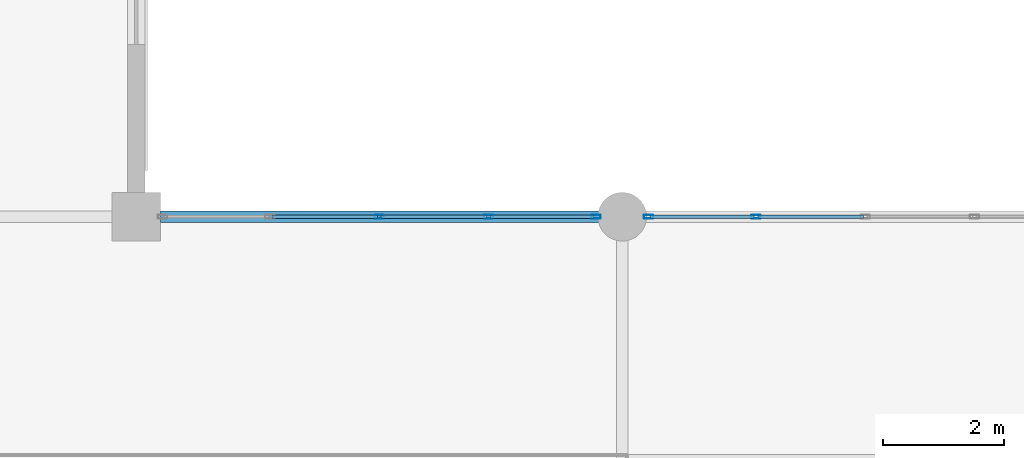
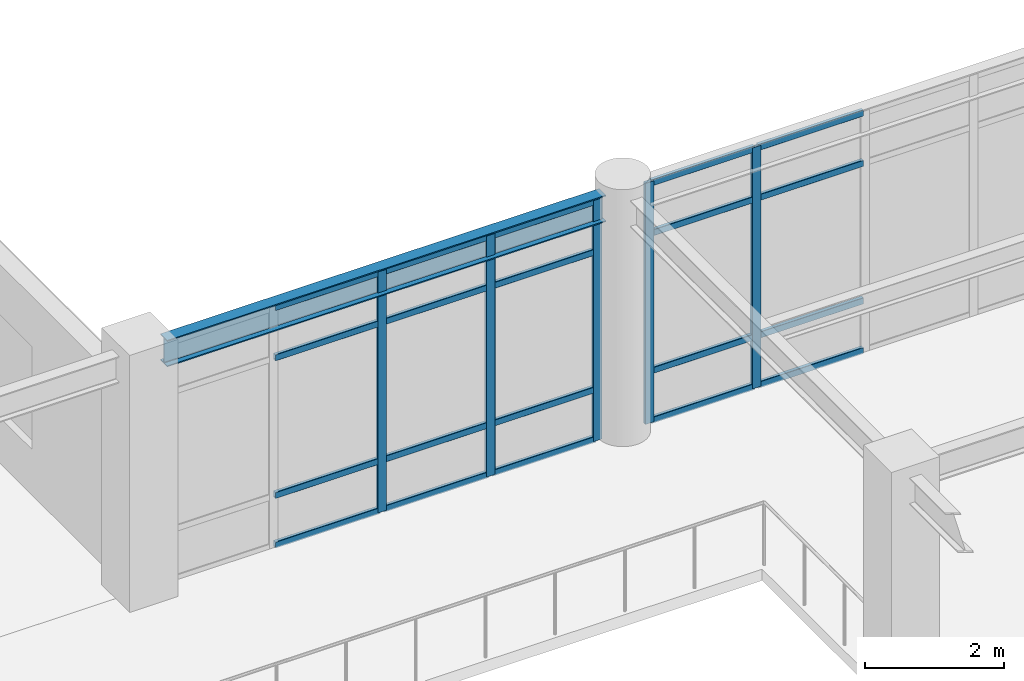
# One storey, part 50 of 78: 25 members, 1 beam, 2 elements without a shape of their own.
"""IFC4 building model written with IfcOpenShell, lengths in metres."""

from ifc_helpers import new_model, si_unit, direction, frame, origin, origin_2d, place, context, subcontext, project, spatial, hollow_rectangle, i_section, extrude, material, material_profile, profile_set, type_object, element, aggregate, save


model = new_model("IFC4")

# Units and contexts
model_context = context("Model", 3, precision=1e-05, world=origin(), true_north=direction((0.0, 1.0)))
body_context = subcontext(model_context, "Body", "Model", "MODEL_VIEW")
ifc_project = project(units=[si_unit("LENGTHUNIT", "METRE"), si_unit("AREAUNIT", "SQUARE_METRE"), si_unit("VOLUMEUNIT", "CUBIC_METRE"), si_unit("PLANEANGLEUNIT", "RADIAN"), si_unit("MASSUNIT", "GRAM", prefix="KILO")], contexts=[model_context])

# Site, building, storey
site_placement = place(None, origin())
site = spatial("IfcSite", under=ifc_project, at=site_placement, CompositionType="ELEMENT")
building_placement = place(site_placement, origin())
building = spatial("IfcBuilding", under=site, at=building_placement, Name="Solmirada Galleria", CompositionType="ELEMENT")
storey_placement = place(building_placement, frame((0.0, 0.0, 23.89990234375)))
storey = spatial("IfcBuildingStorey", under=building, at=storey_placement, Name="L05", CompositionType="ELEMENT", Elevation=23.89990234375)

# Beam
ifc_material_1 = material(Name="Steel S355 / ASTM A992 Grade 50", Category="steel")
ifc_material_profile_1 = material_profile(ifc_material_1, i_section(OverallWidth=0.193115234375, OverallDepth=0.466064453125, WebThickness=0.011474609375, FlangeThickness=0.01904296875, FilletRadius=0.013916015625, at=origin_2d()), Name="W18X65")
ifc_profile_set_1 = profile_set([ifc_material_profile_1], Name="Steel S355 / ASTM A992 Grade 50")
beam_type = type_object("IfcBeamType", Name="BM-GIRD-W18C", PredefinedType="BEAM", material=ifc_profile_set_1)
beam_placement = place(storey_placement, frame((96.39990234375, 72.0, 4.067138671875), z_axis=(1.0, 0.0, 0.0), x_axis=(0.0, 1.0, 0.0)))
element("IfcBeam", 1, at=beam_placement, inside=storey, type_object=beam_type, Name="Primary beam L06 X(96..104, 72)", PredefinedType="BEAM", context=body_context, shape_type="SweptSolid", body=[
    extrude(i_section(OverallWidth=0.193115234375, OverallDepth=0.466064453125, WebThickness=0.011474609375, FlangeThickness=0.01904296875, FilletRadius=0.013916015625, at=origin_2d()), origin(), (0.0, 0.0, 1.0), 7.26416015625),
])

# Curtain wall, members
ifc_material_2 = material(Name="Impact-resistant low-E double glazing", Category="glass")
curtain_wall_type = type_object("IfcCurtainWallType", Name="CW-FZ3-L05-B4-L072", PredefinedType="NOTDEFINED", material=ifc_material_2)
curtain_wall_1_placement = place(storey_placement, origin())
curtain_wall_1 = element("IfcCurtainWall", 2, at=curtain_wall_1_placement, inside=storey, type_object=curtain_wall_type, Name="Terrace and arcade storefront CW-L05-174", PredefinedType="NOTDEFINED")
ifc_material_3 = material(Name="Anodised aluminium framing", Category="aluminium")
ifc_material_profile_2 = material_profile(ifc_material_3, hollow_rectangle(XDim=0.06005859375, YDim=0.14990234375, WallThickness=0.00341796875, InnerFilletRadius=0.00341796875, OuterFilletRadius=0.007080078125, at=origin_2d()), Name="ALU-MULL-150X60")
ifc_profile_set_2 = profile_set([ifc_material_profile_2], Name="Anodised aluminium framing")
member_type_1 = type_object("IfcMemberType", Name="CW-MULL-150", PredefinedType="MULLION", material=ifc_profile_set_2)
member_1_placement = place(storey_placement, frame((100.0, 72.0, 0.0), z_axis=(0.0, 0.0, 1.0), x_axis=(0.0, 1.0, 0.0)))
member_1 = element("IfcMember", 3, at=member_1_placement, type_object=member_type_1, Name="CW33 mullion 3", PredefinedType="MULLION", context=body_context, shape_type="SweptSolid", body=[
    extrude(hollow_rectangle(XDim=0.06005859375, YDim=0.14990234375, WallThickness=0.00341796875, InnerFilletRadius=0.00341796875, OuterFilletRadius=0.007080078125, at=origin_2d()), origin(), (0.0, 0.0, 1.0), 4.22021484375),
])
member_2_placement = place(storey_placement, frame((101.799072265625, 72.0, 0.0), z_axis=(0.0, 0.0, 1.0), x_axis=(0.0, 1.0, 0.0)))
member_2 = element("IfcMember", 4, at=member_2_placement, type_object=member_type_1, Name="CW33 mullion 4", PredefinedType="MULLION", context=body_context, shape_type="SweptSolid", body=[
    extrude(hollow_rectangle(XDim=0.06005859375, YDim=0.14990234375, WallThickness=0.00341796875, InnerFilletRadius=0.00341796875, OuterFilletRadius=0.007080078125, at=origin_2d()), origin(), (0.0, 0.0, 1.0), 4.22021484375),
])
member_3_placement = place(storey_placement, frame((103.568115234375, 72.0, 0.0), z_axis=(0.0, 0.0, 1.0), x_axis=(0.0, 1.0, 0.0)))
member_3 = element("IfcMember", 5, at=member_3_placement, type_object=member_type_1, Name="CW33 mullion 5", PredefinedType="MULLION", context=body_context, shape_type="SweptSolid", body=[
    extrude(hollow_rectangle(XDim=0.06005859375, YDim=0.14990234375, WallThickness=0.00341796875, InnerFilletRadius=0.00341796875, OuterFilletRadius=0.007080078125, at=origin_2d()), origin(), (0.0, 0.0, 1.0), 4.22021484375),
])

curtain_wall_2_placement = place(storey_placement, origin())
curtain_wall_2 = element("IfcCurtainWall", 6, at=curtain_wall_2_placement, inside=storey, type_object=curtain_wall_type, Name="Terrace and arcade storefront CW-L05-175", PredefinedType="NOTDEFINED")
member_4_placement = place(storey_placement, frame((104.431884765625, 72.0, 0.0), z_axis=(0.0, 0.0, 1.0), x_axis=(0.0, 1.0, 0.0)))
member_4 = element("IfcMember", 7, at=member_4_placement, type_object=member_type_1, Name="CW33 mullion 1", PredefinedType="MULLION", context=body_context, shape_type="SweptSolid", body=[
    extrude(hollow_rectangle(XDim=0.06005859375, YDim=0.14990234375, WallThickness=0.00341796875, InnerFilletRadius=0.00341796875, OuterFilletRadius=0.007080078125, at=origin_2d()), origin(), (0.0, 0.0, 1.0), 4.22021484375),
])
member_5_placement = place(storey_placement, frame((106.200927734375, 72.0, 0.0), z_axis=(0.0, 0.0, 1.0), x_axis=(0.0, 1.0, 0.0)))
member_5 = element("IfcMember", 8, at=member_5_placement, type_object=member_type_1, Name="CW33 mullion 2", PredefinedType="MULLION", context=body_context, shape_type="SweptSolid", body=[
    extrude(hollow_rectangle(XDim=0.06005859375, YDim=0.14990234375, WallThickness=0.00341796875, InnerFilletRadius=0.00341796875, OuterFilletRadius=0.007080078125, at=origin_2d()), origin(), (0.0, 0.0, 1.0), 4.22021484375),
])

# Member
ifc_material_profile_3 = material_profile(ifc_material_3, hollow_rectangle(XDim=0.06005859375, YDim=0.110107421875, WallThickness=0.003173828125, InnerFilletRadius=0.003173828125, OuterFilletRadius=0.00634765625, at=origin_2d()), Name="ALU-TRAN-110X60")
ifc_profile_set_3 = profile_set([ifc_material_profile_3], Name="Anodised aluminium framing")
member_type_2 = type_object("IfcMemberType", Name="CW-TRAN-110", PredefinedType="USERDEFINED", material=ifc_profile_set_3)
member_6_placement = place(storey_placement, frame((98.23095703125, 72.0, 0.030029296875), z_axis=(1.0, 0.0, 0.0), x_axis=(0.0, 1.0, 0.0)))
member_6 = element("IfcMember", 9, at=member_6_placement, type_object=member_type_2, Name="CW33 transom 2.1", ObjectType="TRANSOM", PredefinedType="USERDEFINED", context=body_context, shape_type="SweptSolid", body=[
    extrude(hollow_rectangle(XDim=0.06005859375, YDim=0.110107421875, WallThickness=0.003173828125, InnerFilletRadius=0.003173828125, OuterFilletRadius=0.00634765625, at=origin_2d()), origin(), (0.0, 0.0, 1.0), 1.739013671875),
])

member_7_placement = place(storey_placement, frame((98.23095703125, 72.0, 0.900146484375), z_axis=(1.0, 0.0, 0.0), x_axis=(0.0, 1.0, 0.0)))
member_7 = element("IfcMember", 10, at=member_7_placement, type_object=member_type_2, Name="CW33 transom 2.2", ObjectType="TRANSOM", PredefinedType="USERDEFINED", context=body_context, shape_type="SweptSolid", body=[
    extrude(hollow_rectangle(XDim=0.06005859375, YDim=0.110107421875, WallThickness=0.003173828125, InnerFilletRadius=0.003173828125, OuterFilletRadius=0.00634765625, at=origin_2d()), origin(), (0.0, 0.0, 1.0), 1.739013671875),
])

member_8_placement = place(storey_placement, frame((98.23095703125, 72.0, 3.31005859375), z_axis=(1.0, 0.0, 0.0), x_axis=(0.0, 1.0, 0.0)))
member_8 = element("IfcMember", 11, at=member_8_placement, type_object=member_type_2, Name="CW33 transom 2.3", ObjectType="TRANSOM", PredefinedType="USERDEFINED", context=body_context, shape_type="SweptSolid", body=[
    extrude(hollow_rectangle(XDim=0.06005859375, YDim=0.110107421875, WallThickness=0.003173828125, InnerFilletRadius=0.003173828125, OuterFilletRadius=0.00634765625, at=origin_2d()), origin(), (0.0, 0.0, 1.0), 1.739013671875),
])

member_9_placement = place(storey_placement, frame((98.23095703125, 72.0, 4.190185546875), z_axis=(1.0, 0.0, 0.0), x_axis=(0.0, 1.0, 0.0)))
member_9 = element("IfcMember", 12, at=member_9_placement, type_object=member_type_2, Name="CW33 transom 2.4", ObjectType="TRANSOM", PredefinedType="USERDEFINED", context=body_context, shape_type="SweptSolid", body=[
    extrude(hollow_rectangle(XDim=0.06005859375, YDim=0.110107421875, WallThickness=0.003173828125, InnerFilletRadius=0.003173828125, OuterFilletRadius=0.00634765625, at=origin_2d()), origin(), (0.0, 0.0, 1.0), 1.739013671875),
])

member_10_placement = place(storey_placement, frame((100.030029296875, 72.0, 0.030029296875), z_axis=(1.0, 0.0, 0.0), x_axis=(0.0, 1.0, 0.0)))
member_10 = element("IfcMember", 13, at=member_10_placement, type_object=member_type_2, Name="CW33 transom 3.1", ObjectType="TRANSOM", PredefinedType="USERDEFINED", context=body_context, shape_type="SweptSolid", body=[
    extrude(hollow_rectangle(XDim=0.06005859375, YDim=0.110107421875, WallThickness=0.003173828125, InnerFilletRadius=0.003173828125, OuterFilletRadius=0.00634765625, at=origin_2d()), origin(), (0.0, 0.0, 1.0), 1.739013671875),
])

member_11_placement = place(storey_placement, frame((100.030029296875, 72.0, 0.900146484375), z_axis=(1.0, 0.0, 0.0), x_axis=(0.0, 1.0, 0.0)))
member_11 = element("IfcMember", 14, at=member_11_placement, type_object=member_type_2, Name="CW33 transom 3.2", ObjectType="TRANSOM", PredefinedType="USERDEFINED", context=body_context, shape_type="SweptSolid", body=[
    extrude(hollow_rectangle(XDim=0.06005859375, YDim=0.110107421875, WallThickness=0.003173828125, InnerFilletRadius=0.003173828125, OuterFilletRadius=0.00634765625, at=origin_2d()), origin(), (0.0, 0.0, 1.0), 1.739013671875),
])

member_12_placement = place(storey_placement, frame((100.030029296875, 72.0, 3.31005859375), z_axis=(1.0, 0.0, 0.0), x_axis=(0.0, 1.0, 0.0)))
member_12 = element("IfcMember", 15, at=member_12_placement, type_object=member_type_2, Name="CW33 transom 3.3", ObjectType="TRANSOM", PredefinedType="USERDEFINED", context=body_context, shape_type="SweptSolid", body=[
    extrude(hollow_rectangle(XDim=0.06005859375, YDim=0.110107421875, WallThickness=0.003173828125, InnerFilletRadius=0.003173828125, OuterFilletRadius=0.00634765625, at=origin_2d()), origin(), (0.0, 0.0, 1.0), 1.739013671875),
])

member_13_placement = place(storey_placement, frame((100.030029296875, 72.0, 4.190185546875), z_axis=(1.0, 0.0, 0.0), x_axis=(0.0, 1.0, 0.0)))
member_13 = element("IfcMember", 16, at=member_13_placement, type_object=member_type_2, Name="CW33 transom 3.4", ObjectType="TRANSOM", PredefinedType="USERDEFINED", context=body_context, shape_type="SweptSolid", body=[
    extrude(hollow_rectangle(XDim=0.06005859375, YDim=0.110107421875, WallThickness=0.003173828125, InnerFilletRadius=0.003173828125, OuterFilletRadius=0.00634765625, at=origin_2d()), origin(), (0.0, 0.0, 1.0), 1.739013671875),
])

member_14_placement = place(storey_placement, frame((101.8291015625, 72.0, 0.030029296875), z_axis=(1.0, 0.0, 0.0), x_axis=(0.0, 1.0, 0.0)))
member_14 = element("IfcMember", 17, at=member_14_placement, type_object=member_type_2, Name="CW33 transom 4.1", ObjectType="TRANSOM", PredefinedType="USERDEFINED", context=body_context, shape_type="SweptSolid", body=[
    extrude(hollow_rectangle(XDim=0.06005859375, YDim=0.110107421875, WallThickness=0.003173828125, InnerFilletRadius=0.003173828125, OuterFilletRadius=0.00634765625, at=origin_2d()), origin(), (0.0, 0.0, 1.0), 1.708984375),
])

member_15_placement = place(storey_placement, frame((101.8291015625, 72.0, 0.900146484375), z_axis=(1.0, 0.0, 0.0), x_axis=(0.0, 1.0, 0.0)))
member_15 = element("IfcMember", 18, at=member_15_placement, type_object=member_type_2, Name="CW33 transom 4.2", ObjectType="TRANSOM", PredefinedType="USERDEFINED", context=body_context, shape_type="SweptSolid", body=[
    extrude(hollow_rectangle(XDim=0.06005859375, YDim=0.110107421875, WallThickness=0.003173828125, InnerFilletRadius=0.003173828125, OuterFilletRadius=0.00634765625, at=origin_2d()), origin(), (0.0, 0.0, 1.0), 1.708984375),
])

member_16_placement = place(storey_placement, frame((101.8291015625, 72.0, 3.31005859375), z_axis=(1.0, 0.0, 0.0), x_axis=(0.0, 1.0, 0.0)))
member_16 = element("IfcMember", 19, at=member_16_placement, type_object=member_type_2, Name="CW33 transom 4.3", ObjectType="TRANSOM", PredefinedType="USERDEFINED", context=body_context, shape_type="SweptSolid", body=[
    extrude(hollow_rectangle(XDim=0.06005859375, YDim=0.110107421875, WallThickness=0.003173828125, InnerFilletRadius=0.003173828125, OuterFilletRadius=0.00634765625, at=origin_2d()), origin(), (0.0, 0.0, 1.0), 1.708984375),
])

member_17_placement = place(storey_placement, frame((101.8291015625, 72.0, 4.190185546875), z_axis=(1.0, 0.0, 0.0), x_axis=(0.0, 1.0, 0.0)))
member_17 = element("IfcMember", 20, at=member_17_placement, type_object=member_type_2, Name="CW33 transom 4.4", ObjectType="TRANSOM", PredefinedType="USERDEFINED", context=body_context, shape_type="SweptSolid", body=[
    extrude(hollow_rectangle(XDim=0.06005859375, YDim=0.110107421875, WallThickness=0.003173828125, InnerFilletRadius=0.003173828125, OuterFilletRadius=0.00634765625, at=origin_2d()), origin(), (0.0, 0.0, 1.0), 1.708984375),
])

aggregate(curtain_wall_1, [member_1, member_2, member_3, member_6, member_7, member_8, member_9, member_10, member_11, member_12, member_13, member_14, member_15, member_16, member_17])

member_18_placement = place(storey_placement, frame((104.4619140625, 72.0, 0.030029296875), z_axis=(1.0, 0.0, 0.0), x_axis=(0.0, 1.0, 0.0)))
member_18 = element("IfcMember", 21, at=member_18_placement, type_object=member_type_2, Name="CW33 transom 1.1", ObjectType="TRANSOM", PredefinedType="USERDEFINED", context=body_context, shape_type="SweptSolid", body=[
    extrude(hollow_rectangle(XDim=0.06005859375, YDim=0.110107421875, WallThickness=0.003173828125, InnerFilletRadius=0.003173828125, OuterFilletRadius=0.00634765625, at=origin_2d()), origin(), (0.0, 0.0, 1.0), 1.708984375),
])

member_19_placement = place(storey_placement, frame((104.4619140625, 72.0, 0.900146484375), z_axis=(1.0, 0.0, 0.0), x_axis=(0.0, 1.0, 0.0)))
member_19 = element("IfcMember", 22, at=member_19_placement, type_object=member_type_2, Name="CW33 transom 1.2", ObjectType="TRANSOM", PredefinedType="USERDEFINED", context=body_context, shape_type="SweptSolid", body=[
    extrude(hollow_rectangle(XDim=0.06005859375, YDim=0.110107421875, WallThickness=0.003173828125, InnerFilletRadius=0.003173828125, OuterFilletRadius=0.00634765625, at=origin_2d()), origin(), (0.0, 0.0, 1.0), 1.708984375),
])

member_20_placement = place(storey_placement, frame((104.4619140625, 72.0, 3.31005859375), z_axis=(1.0, 0.0, 0.0), x_axis=(0.0, 1.0, 0.0)))
member_20 = element("IfcMember", 23, at=member_20_placement, type_object=member_type_2, Name="CW33 transom 1.3", ObjectType="TRANSOM", PredefinedType="USERDEFINED", context=body_context, shape_type="SweptSolid", body=[
    extrude(hollow_rectangle(XDim=0.06005859375, YDim=0.110107421875, WallThickness=0.003173828125, InnerFilletRadius=0.003173828125, OuterFilletRadius=0.00634765625, at=origin_2d()), origin(), (0.0, 0.0, 1.0), 1.708984375),
])

member_21_placement = place(storey_placement, frame((104.4619140625, 72.0, 4.190185546875), z_axis=(1.0, 0.0, 0.0), x_axis=(0.0, 1.0, 0.0)))
member_21 = element("IfcMember", 24, at=member_21_placement, type_object=member_type_2, Name="CW33 transom 1.4", ObjectType="TRANSOM", PredefinedType="USERDEFINED", context=body_context, shape_type="SweptSolid", body=[
    extrude(hollow_rectangle(XDim=0.06005859375, YDim=0.110107421875, WallThickness=0.003173828125, InnerFilletRadius=0.003173828125, OuterFilletRadius=0.00634765625, at=origin_2d()), origin(), (0.0, 0.0, 1.0), 1.708984375),
])

member_22_placement = place(storey_placement, frame((106.23095703125, 72.0, 0.030029296875), z_axis=(1.0, 0.0, 0.0), x_axis=(0.0, 1.0, 0.0)))
member_22 = element("IfcMember", 25, at=member_22_placement, type_object=member_type_2, Name="CW33 transom 2.1", ObjectType="TRANSOM", PredefinedType="USERDEFINED", context=body_context, shape_type="SweptSolid", body=[
    extrude(hollow_rectangle(XDim=0.06005859375, YDim=0.110107421875, WallThickness=0.003173828125, InnerFilletRadius=0.003173828125, OuterFilletRadius=0.00634765625, at=origin_2d()), origin(), (0.0, 0.0, 1.0), 1.739013671875),
])

member_23_placement = place(storey_placement, frame((106.23095703125, 72.0, 0.900146484375), z_axis=(1.0, 0.0, 0.0), x_axis=(0.0, 1.0, 0.0)))
member_23 = element("IfcMember", 26, at=member_23_placement, type_object=member_type_2, Name="CW33 transom 2.2", ObjectType="TRANSOM", PredefinedType="USERDEFINED", context=body_context, shape_type="SweptSolid", body=[
    extrude(hollow_rectangle(XDim=0.06005859375, YDim=0.110107421875, WallThickness=0.003173828125, InnerFilletRadius=0.003173828125, OuterFilletRadius=0.00634765625, at=origin_2d()), origin(), (0.0, 0.0, 1.0), 1.739013671875),
])

member_24_placement = place(storey_placement, frame((106.23095703125, 72.0, 3.31005859375), z_axis=(1.0, 0.0, 0.0), x_axis=(0.0, 1.0, 0.0)))
member_24 = element("IfcMember", 27, at=member_24_placement, type_object=member_type_2, Name="CW33 transom 2.3", ObjectType="TRANSOM", PredefinedType="USERDEFINED", context=body_context, shape_type="SweptSolid", body=[
    extrude(hollow_rectangle(XDim=0.06005859375, YDim=0.110107421875, WallThickness=0.003173828125, InnerFilletRadius=0.003173828125, OuterFilletRadius=0.00634765625, at=origin_2d()), origin(), (0.0, 0.0, 1.0), 1.739013671875),
])

member_25_placement = place(storey_placement, frame((106.23095703125, 72.0, 4.190185546875), z_axis=(1.0, 0.0, 0.0), x_axis=(0.0, 1.0, 0.0)))
member_25 = element("IfcMember", 28, at=member_25_placement, type_object=member_type_2, Name="CW33 transom 2.4", ObjectType="TRANSOM", PredefinedType="USERDEFINED", context=body_context, shape_type="SweptSolid", body=[
    extrude(hollow_rectangle(XDim=0.06005859375, YDim=0.110107421875, WallThickness=0.003173828125, InnerFilletRadius=0.003173828125, OuterFilletRadius=0.00634765625, at=origin_2d()), origin(), (0.0, 0.0, 1.0), 1.739013671875),
])

aggregate(curtain_wall_2, [member_4, member_5, member_18, member_19, member_20, member_21, member_22, member_23, member_24, member_25])

save(model, "model.ifc")
